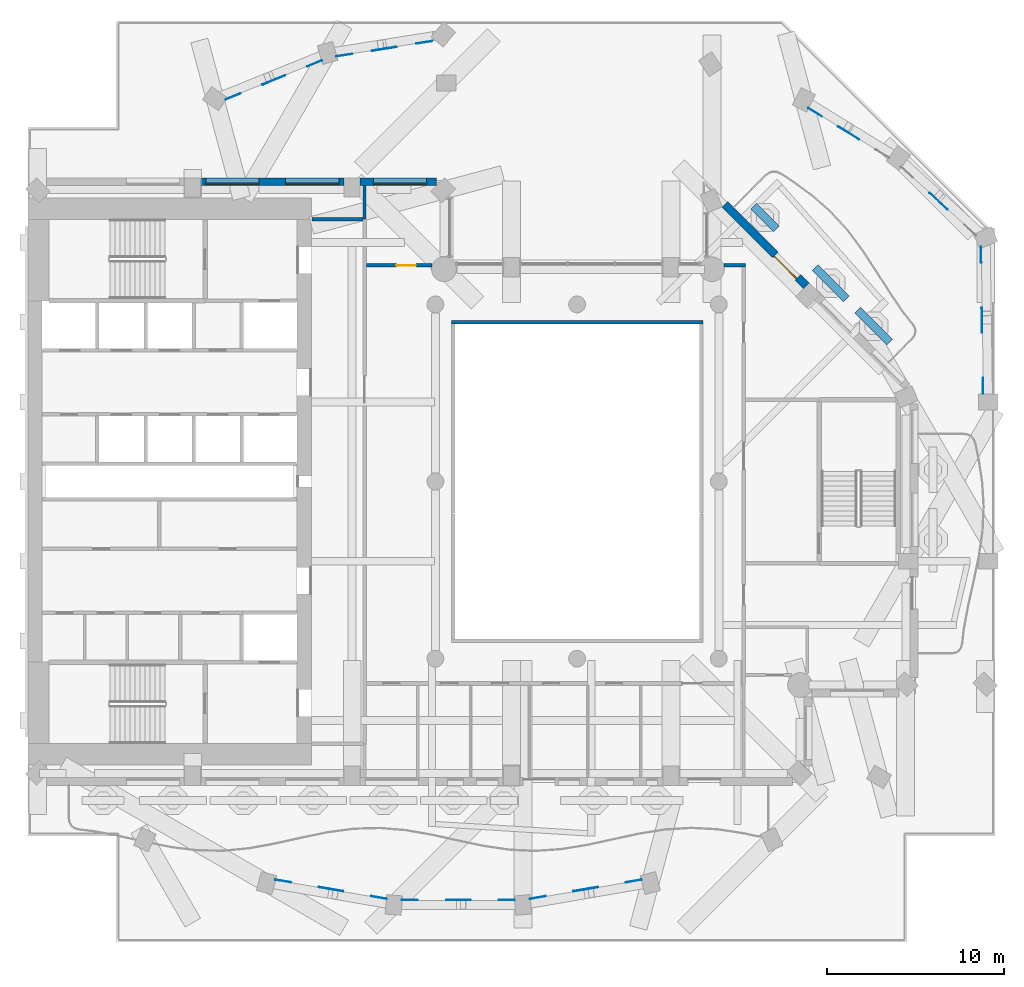
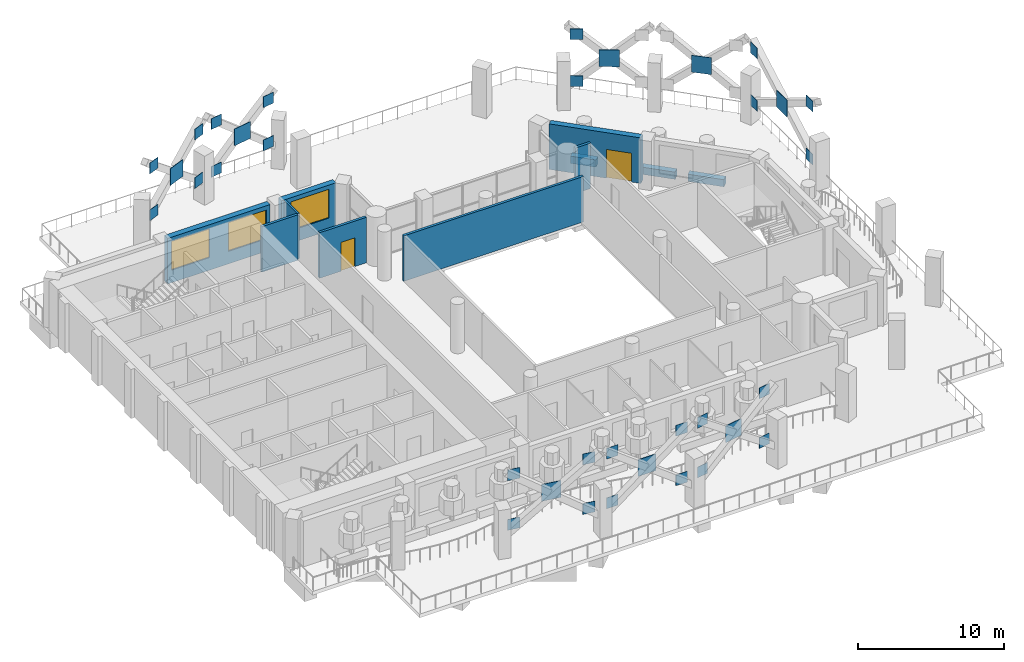
# One storey, part 8 of 18: 34 discrete accessories, 11 walls, 3 windows, 2 doors, 5 openings.
"""IFC4 building model written with IfcOpenShell, lengths in metres."""

from ifc_helpers import new_model, si_unit, direction, frame, frame_2d, origin, origin_2d, place, context, subcontext, project, spatial, rectangle, extrude, material, layer, layer_set, material_profile, profile_set, type_object, element, fill, save


model = new_model("IFC4")

# Units and contexts
model_context = context("Model", 3, precision=1e-05, world=origin(), true_north=direction((0.0, 1.0)))
body_context = subcontext(model_context, "Body", "Model", "MODEL_VIEW")
ifc_project = project(units=[si_unit("LENGTHUNIT", "METRE"), si_unit("AREAUNIT", "SQUARE_METRE"), si_unit("VOLUMEUNIT", "CUBIC_METRE"), si_unit("PLANEANGLEUNIT", "RADIAN"), si_unit("MASSUNIT", "GRAM", prefix="KILO")], contexts=[model_context])

# Site, building, storey
site_placement = place(None, origin())
site = spatial("IfcSite", under=ifc_project, at=site_placement, CompositionType="ELEMENT")
building_placement = place(site_placement, origin())
building = spatial("IfcBuilding", under=site, at=building_placement, Name="Cypress Arch Tower", CompositionType="ELEMENT")
storey_placement = place(building_placement, frame((0.0, 0.0, 160.5)))
storey = spatial("IfcBuildingStorey", under=building, at=storey_placement, Name="L34", CompositionType="ELEMENT", Elevation=160.5)

# Walls
ifc_material_1 = material(Name="Concrete C40/50, waterproofed", Category="concrete")
ifc_layer_1 = layer(ifc_material_1, 0.449951171875)
ifc_layer_set_1 = layer_set([ifc_layer_1], Name="Balcony planter wall PW450")
wall_type_1 = type_object("IfcWallType", Name="Balcony planter wall PW450", PredefinedType="SOLIDWALL", material=ifc_layer_set_1)
wall_1_placement = place(storey_placement, frame((18.650390625, 7.86376953125, 0.0), z_axis=(0.0, 0.0, 1.0), x_axis=(-0.707059037574, 0.707154521576, 0.0)))
element("IfcWall", 1, at=wall_1_placement, inside=storey, type_object=wall_type_1, Name="Balcony planter wall L34-B05.1", PredefinedType="SOLIDWALL", context=body_context, shape_type="SweptSolid", body=[
    extrude(rectangle(XDim=2.556884765625, YDim=0.449951171875, at=frame_2d((1.2783203125, 0.0))), origin(), (0.0, 0.0, 1.0), 0.60009765625),
])
wall_2_placement = place(storey_placement, frame((16.2060546875, 10.30810546875, 0.0), z_axis=(0.0, 0.0, 1.0), x_axis=(-0.707057827829, 0.707155731156, 0.0)))
element("IfcWall", 2, at=wall_2_placement, inside=storey, type_object=wall_type_1, Name="Balcony planter wall L34-B05.2", PredefinedType="SOLIDWALL", context=body_context, shape_type="SweptSolid", body=[
    extrude(rectangle(XDim=2.49365234375, YDim=0.449951171875, at=frame_2d((1.246826171875, 0.0))), origin(), (0.0, 0.0, 1.0), 0.60009765625),
])
wall_3_placement = place(storey_placement, frame((12.250732421875, 14.263427734375, 0.0), z_axis=(0.0, 0.0, 1.0), x_axis=(-0.707039709166, 0.707173846846, 0.0)))
element("IfcWall", 3, at=wall_3_placement, inside=storey, type_object=wall_type_1, Name="Balcony planter wall L34-B05.3", PredefinedType="SOLIDWALL", context=body_context, shape_type="SweptSolid", body=[
    extrude(rectangle(XDim=1.820068359375, YDim=0.449951171875, at=frame_2d((0.91015625, 0.0))), origin(), (0.0, 0.0, 1.0), 0.60009765625),
])

# Wall, opening, door
ifc_material_2 = material(Name="Brick (red buff blend)", Category="masonry")
ifc_layer_2 = layer(ifc_material_2, 0.449951171875)
ifc_layer_set_2 = layer_set([ifc_layer_2], Name="Brick pier and spandrel wall BW450")
wall_type_2 = type_object("IfcWallType", Name="Brick pier and spandrel wall BW450", PredefinedType="SOLIDWALL", material=ifc_layer_set_2)
wall_4_placement = place(storey_placement, frame((13.94091796875, 11.052978515625, 0.0), z_axis=(0.0, 0.0, 1.0), x_axis=(-0.707106781187, 0.707106781187, 0.0)))
wall_4 = element("IfcWall", 4, at=wall_4_placement, inside=storey, type_object=wall_type_2, Name="Brick wall L34 B05.1", PredefinedType="SOLIDWALL", context=body_context, shape_type="SweptSolid", body=[
    extrude(rectangle(XDim=6.505126953125, YDim=0.449951171875, at=frame_2d((3.25244140625, 0.0))), origin(), (0.0, 0.0, 1.0), 3.800048828125),
])
opening_1_placement = place(wall_4_placement, frame((0.665283203125, 0.0, 0.0)))
opening_1 = element("IfcOpeningElement", 5, at=opening_1_placement, cuts=wall_4, Name="Opening D-L34-B05.1.1", PredefinedType="OPENING", context=body_context, shape_type="SweptSolid", body=[
    extrude(rectangle(XDim=1.800048828125, YDim=2.39990234375, at=frame_2d((0.89990234375, 1.199951171875))), frame((0.0, 0.23486328125, 0.0), z_axis=(0.0, -1.0, 0.0), x_axis=(1.0, 0.0, 0.0)), (0.0, 0.0, 1.0), 0.469970703125),
])
ifc_material_3 = material(Name="Anodised aluminium, bronze finish, laminated low-emissivity double glazing, large-missile impact rated", Category="aluminium")
door_type_1 = type_object("IfcDoorType", Name="Balcony sliding door 1800x2400", OperationType="SLIDING_TO_LEFT", PredefinedType="DOOR", material=ifc_material_3)
door_1_placement = place(opening_1_placement, origin())
door_1 = element("IfcDoor", 6, at=door_1_placement, inside=storey, type_object=door_type_1, Name="Balcony door L34 B05.1.1", OperationType="SLIDING_TO_LEFT", OverallHeight=2.39990234375, OverallWidth=1.800048828125, PredefinedType="DOOR", context=body_context, shape_type="SweptSolid", body=[
    extrude(rectangle(XDim=1.800048828125, YDim=2.39990234375, at=frame_2d((0.89990234375, 1.199951171875))), frame((0.0, 0.1298828125, 0.0), z_axis=(0.0, -1.0, 0.0), x_axis=(1.0, 0.0, 0.0)), (0.0, 0.0, 1.0), 0.050048828125),
])
fill(opening_1, door_1)

# Wall, opening, window
wall_5_placement = place(storey_placement, frame((-6.936279296875, 16.925048828125, 0.0), z_axis=(0.0, 0.0, 1.0), x_axis=(-1.0, 0.0, 0.0)))
wall_5 = element("IfcWall", 7, at=wall_5_placement, inside=storey, type_object=wall_type_2, Name="Brick wall L34 B09.0", PredefinedType="SOLIDWALL", context=body_context, shape_type="SweptSolid", body=[
    extrude(rectangle(XDim=4.313720703125, YDim=0.449951171875, at=frame_2d((2.15673828125, 0.0))), origin(), (0.0, 0.0, 1.0), 3.800048828125),
])
opening_2_placement = place(wall_5_placement, frame((0.563720703125, 0.0, 1.050048828125)))
opening_2 = element("IfcOpeningElement", 8, at=opening_2_placement, cuts=wall_5, Name="Opening W300O", PredefinedType="OPENING", context=body_context, shape_type="SweptSolid", body=[
    extrude(rectangle(XDim=3.0, YDim=2.39990234375, at=frame_2d((1.5, 1.199951171875))), frame((0.0, 0.23486328125, 0.0), z_axis=(0.0, -1.0, 0.0), x_axis=(1.0, 0.0, 0.0)), (0.0, 0.0, 1.0), 0.469970703125),
])
ifc_material_4 = material(Name="Anodised aluminium, bronze finish, clear low-emissivity double glazing", Category="aluminium")
window_type = type_object("IfcWindowType", Name="Window Office 3000x2400", PartitioningType="SINGLE_PANEL", PredefinedType="WINDOW", material=ifc_material_4)
window_1_placement = place(opening_2_placement, origin())
window_1 = element("IfcWindow", 9, at=window_1_placement, inside=storey, type_object=window_type, Name="Window L34 B09.0.1", OverallHeight=2.39990234375, OverallWidth=3.0, PartitioningType="SINGLE_PANEL", PredefinedType="WINDOW", context=body_context, shape_type="SweptSolid", body=[
    extrude(rectangle(XDim=3.0, YDim=2.39990234375, at=frame_2d((1.5, 1.199951171875))), frame((0.0, 0.135009765625, 0.0), z_axis=(0.0, -1.0, 0.0), x_axis=(1.0, 0.0, 0.0)), (0.0, 0.0, 1.0), 0.06005859375),
])
fill(opening_2, window_1)

# Wall, openings, windows
wall_6_placement = place(storey_placement, frame((-12.14990234375, 16.925048828125, 0.0), z_axis=(0.0, 0.0, 1.0), x_axis=(-1.0, 0.0, 0.0)))
wall_6 = element("IfcWall", 10, at=wall_6_placement, inside=storey, type_object=wall_type_2, Name="Brick wall L34 B09.1", PredefinedType="SOLIDWALL", context=body_context, shape_type="SweptSolid", body=[
    extrude(rectangle(XDim=8.10009765625, YDim=0.449951171875, at=frame_2d((4.050048828125, 0.0))), origin(), (0.0, 0.0, 1.0), 3.800048828125),
])
opening_3_placement = place(wall_6_placement, frame((0.300048828125, 0.0, 1.050048828125)))
opening_3 = element("IfcOpeningElement", 11, at=opening_3_placement, cuts=wall_6, Name="Opening W300O", PredefinedType="OPENING", context=body_context, shape_type="SweptSolid", body=[
    extrude(rectangle(XDim=3.0, YDim=2.39990234375, at=frame_2d((1.5, 1.199951171875))), frame((0.0, 0.23486328125, 0.0), z_axis=(0.0, -1.0, 0.0), x_axis=(1.0, 0.0, 0.0)), (0.0, 0.0, 1.0), 0.469970703125),
])
opening_4_placement = place(wall_6_placement, frame((4.800048828125, 0.0, 1.050048828125)))
opening_4 = element("IfcOpeningElement", 12, at=opening_4_placement, cuts=wall_6, Name="Opening W300O", PredefinedType="OPENING", context=body_context, shape_type="SweptSolid", body=[
    extrude(rectangle(XDim=3.0, YDim=2.39990234375, at=frame_2d((1.5, 1.199951171875))), frame((0.0, 0.23486328125, 0.0), z_axis=(0.0, -1.0, 0.0), x_axis=(1.0, 0.0, 0.0)), (0.0, 0.0, 1.0), 0.469970703125),
])
window_2_placement = place(opening_3_placement, origin())
window_2 = element("IfcWindow", 13, at=window_2_placement, inside=storey, type_object=window_type, Name="Window L34 B09.1.1", OverallHeight=2.39990234375, OverallWidth=3.0, PartitioningType="SINGLE_PANEL", PredefinedType="WINDOW", context=body_context, shape_type="SweptSolid", body=[
    extrude(rectangle(XDim=3.0, YDim=2.39990234375, at=frame_2d((1.5, 1.199951171875))), frame((0.0, 0.135009765625, 0.0), z_axis=(0.0, -1.0, 0.0), x_axis=(1.0, 0.0, 0.0)), (0.0, 0.0, 1.0), 0.06005859375),
])
fill(opening_3, window_2)
window_3_placement = place(opening_4_placement, origin())
window_3 = element("IfcWindow", 14, at=window_3_placement, inside=storey, type_object=window_type, Name="Window L34 B09.1.2", OverallHeight=2.39990234375, OverallWidth=3.0, PartitioningType="SINGLE_PANEL", PredefinedType="WINDOW", context=body_context, shape_type="SweptSolid", body=[
    extrude(rectangle(XDim=3.0, YDim=2.39990234375, at=frame_2d((1.5, 1.199951171875))), frame((0.0, 0.135009765625, 0.0), z_axis=(0.0, -1.0, 0.0), x_axis=(1.0, 0.0, 0.0)), (0.0, 0.0, 1.0), 0.06005859375),
])
fill(opening_4, window_3)

# Wall
ifc_material_5 = material(Name="Concrete blockwork, plastered, rated", Category="masonry")
ifc_layer_3 = layer(ifc_material_5, 0.199951171875)
ifc_layer_set_3 = layer_set([ifc_layer_3], Name="Corridor wall FW200")
wall_type_3 = type_object("IfcWallType", Name="Corridor wall FW200", PredefinedType="PARTITIONING", material=ifc_layer_set_3)
wall_7_placement = place(storey_placement, frame((-13.969970703125, 14.800048828125, 0.0), z_axis=(0.0, 0.0, 1.0), x_axis=(1.0, 0.0, 0.0)))
element("IfcWall", 15, at=wall_7_placement, inside=storey, type_object=wall_type_3, Name="Corridor wall", PredefinedType="PARTITIONING", context=body_context, shape_type="SweptSolid", body=[
    extrude(rectangle(XDim=2.869873046875, YDim=0.199951171875, at=frame_2d((1.43505859375, 0.0))), origin(), (0.0, 0.0, 1.0), 3.800048828125),
])

# Wall, opening, door
wall_8_placement = place(storey_placement, frame((-10.89990234375, 12.199951171875, 0.0), z_axis=(0.0, 0.0, 1.0), x_axis=(1.0, 0.0, 0.0)))
wall_8 = element("IfcWall", 16, at=wall_8_placement, inside=storey, type_object=wall_type_3, Name="Corridor wall", PredefinedType="PARTITIONING", context=body_context, shape_type="SweptSolid", body=[
    extrude(rectangle(XDim=3.7041015625, YDim=0.199951171875, at=frame_2d((1.85205078125, 0.0))), origin(), (0.0, 0.0, 1.0), 3.800048828125),
])
opening_5_placement = place(wall_8_placement, frame((1.699951171875, 0.0, 0.0)))
opening_5 = element("IfcOpeningElement", 17, at=opening_5_placement, cuts=wall_8, Name="Opening D01", PredefinedType="OPENING", context=body_context, shape_type="SweptSolid", body=[
    extrude(rectangle(XDim=1.10009765625, YDim=2.39990234375, at=frame_2d((0.550048828125, 1.199951171875))), frame((0.0, 0.10986328125, 0.0), z_axis=(0.0, -1.0, 0.0), x_axis=(1.0, 0.0, 0.0)), (0.0, 0.0, 1.0), 0.219970703125),
])
ifc_material_6 = material(Name="Timber flush door, fire resisting, self-closing", Category="wood")
door_type_2 = type_object("IfcDoorType", Name="Unit entrance door D01 1100x2400", OperationType="SINGLE_SWING_LEFT", PredefinedType="DOOR", material=ifc_material_6)
door_2_placement = place(opening_5_placement, origin())
door_2 = element("IfcDoor", 18, at=door_2_placement, inside=storey, type_object=door_type_2, Name="Unit entrance door", OperationType="SINGLE_SWING_RIGHT", OverallHeight=2.39990234375, OverallWidth=1.10009765625, PredefinedType="DOOR", context=body_context, shape_type="SweptSolid", body=[
    extrude(rectangle(XDim=1.10009765625, YDim=2.39990234375, at=frame_2d((0.550048828125, 1.199951171875))), frame((0.0, 0.02490234375, 0.0), z_axis=(0.0, -1.0, 0.0), x_axis=(1.0, 0.0, 0.0)), (0.0, 0.0, 1.0), 0.050048828125),
])
fill(opening_5, door_2)

# Walls
wall_9_placement = place(storey_placement, frame((-6.10009765625, 9.0, 0.0), z_axis=(0.0, 0.0, 1.0), x_axis=(1.0, 0.0, 0.0)))
element("IfcWall", 19, at=wall_9_placement, inside=storey, type_object=wall_type_3, Name="Corridor wall", PredefinedType="PARTITIONING", context=body_context, shape_type="SweptSolid", body=[
    extrude(rectangle(XDim=14.2001953125, YDim=0.199951171875, at=frame_2d((7.10009765625, 0.0))), origin(), (0.0, 0.0, 1.0), 3.800048828125),
])
wall_10_placement = place(storey_placement, frame((9.295654296875, 12.199951171875, 0.0), z_axis=(0.0, 0.0, 1.0), x_axis=(1.0, 0.0, 0.0)))
element("IfcWall", 20, at=wall_10_placement, inside=storey, type_object=wall_type_3, Name="Corridor wall", PredefinedType="PARTITIONING", context=body_context, shape_type="SweptSolid", body=[
    extrude(rectangle(XDim=1.204345703125, YDim=0.199951171875, at=frame_2d((0.60205078125, 0.0))), origin(), (0.0, 0.0, 1.0), 3.800048828125),
])
ifc_material_7 = material(Name="Blockwork, plastered both sides", Category="masonry")
ifc_layer_4 = layer(ifc_material_7, 0.14990234375)
ifc_layer_set_4 = layer_set([ifc_layer_4], Name="Partition PW150")
wall_type_4 = type_object("IfcWallType", Name="Partition PW150", PredefinedType="PARTITIONING", material=ifc_layer_set_4)
wall_11_placement = place(storey_placement, frame((-11.0, 14.820068359375, 0.0), z_axis=(0.0, 0.0, 1.0), x_axis=(0.0, 1.0, 0.0)))
element("IfcWall", 21, at=wall_11_placement, inside=storey, type_object=wall_type_4, Name="Partition", PredefinedType="PARTITIONING", context=body_context, shape_type="SweptSolid", body=[
    extrude(rectangle(XDim=1.8798828125, YDim=0.14990234375, at=frame_2d((0.93994140625, 0.0))), origin(), (0.0, 0.0, 1.0), 3.800048828125),
])

# Discrete accessories
ifc_material_8 = material(Name="Steel ASTM A992", Category="steel")
ifc_material_profile_1 = material_profile(ifc_material_8, rectangle(XDim=0.89990234375, YDim=0.89990234375, at=origin_2d()), Name="PL 30 900x900")
ifc_profile_set_1 = profile_set([ifc_material_profile_1], Name="Steel ASTM A992")
discrete_accessory_type_1 = type_object("IfcDiscreteAccessoryType", Name="Gusset plate 900x900x30 Steel ASTM A992", PredefinedType="ANCHORPLATE", material=ifc_profile_set_1)
discrete_accessory_1_placement = place(storey_placement, frame((-7.630859375, 24.806396484375, 2.445068359375), z_axis=(0.15512400912, -0.987895005451, 0.0), x_axis=(0.987895005451, 0.15512400912, 0.0)))
element("IfcDiscreteAccessory", 22, at=discrete_accessory_1_placement, inside=storey, type_object=discrete_accessory_type_1, Name="Gusset plate L34 CQ02-CQ03u0", PredefinedType="ANCHORPLATE", context=body_context, shape_type="SweptSolid", body=[
    extrude(rectangle(XDim=0.89990234375, YDim=0.89990234375, at=origin_2d()), origin(), (0.0, 0.0, 1.0), 0.02978515625),
])
discrete_accessory_2_placement = place(storey_placement, frame((-12.149658203125, 24.0849609375, 6.24951171875), z_axis=(0.153882731479, -0.98808911792, 0.0), x_axis=(0.98808911792, 0.153882731479, 0.0)))
element("IfcDiscreteAccessory", 23, at=discrete_accessory_2_placement, inside=storey, type_object=discrete_accessory_type_1, Name="Gusset plate L34 CQ02-CQ03u1", PredefinedType="ANCHORPLATE", context=body_context, shape_type="SweptSolid", body=[
    extrude(rectangle(XDim=0.89990234375, YDim=0.89990234375, at=origin_2d()), origin(), (0.0, 0.0, 1.0), 0.030029296875),
])
discrete_accessory_3_placement = place(storey_placement, frame((-7.630859375, 24.806396484375, 6.054931640625), z_axis=(0.15512400912, -0.987895005451, 0.0), x_axis=(0.987895005451, 0.15512400912, 0.0)))
element("IfcDiscreteAccessory", 24, at=discrete_accessory_3_placement, inside=storey, type_object=discrete_accessory_type_1, Name="Gusset plate L34 CQ02-CQ03d0", PredefinedType="ANCHORPLATE", context=body_context, shape_type="SweptSolid", body=[
    extrude(rectangle(XDim=0.89990234375, YDim=0.89990234375, at=origin_2d()), origin(), (0.0, 0.0, 1.0), 0.02978515625),
])
for number, where, z_axis, x_axis, name in (
    (25, (-12.149658203125, 24.0849609375, 2.25048828125), (0.153882731479, -0.98808911792, 0.0), (0.98808911792, 0.153882731479, 0.0), "Gusset plate L34 CQ02-CQ03d1"),
    (26, (-13.822998046875, 23.618896484375, 2.2236328125), (0.381157654408, -0.924510055373, 0.0), (0.924510055373, 0.381157654408, 0.0), "Gusset plate L34 CQ03-CQ04u0"),
    (27, (-18.429443359375, 21.7529296875, 6.20703125), (0.374194034192, -0.927350432563, 0.0), (0.927350432563, 0.374194034192, 0.0), "Gusset plate L34 CQ03-CQ04u1"),
    (28, (-13.822998046875, 23.618896484375, 6.2763671875), (0.381157654408, -0.924510055373, 0.0), (0.924510055373, 0.381157654408, 0.0), "Gusset plate L34 CQ03-CQ04d0"),
    (29, (-18.429443359375, 21.7529296875, 2.29296875), (0.374194034192, -0.927350432563, 0.0), (0.927350432563, 0.374194034192, 0.0), "Gusset plate L34 CQ03-CQ04d1"),
    (30, (-15.59716796875, -22.56884765625, 2.18017578125), (0.163076596924, 0.986613411391, 0.0), (-0.986613411391, 0.163076596924, 0.0), "Gusset plate L34 CQ06-CQ07u0"),
    (31, (-10.188232421875, -23.500244140625, 6.31982421875), (0.170997525788, 0.985271458114, 0.0), (-0.985271458114, 0.170997525788, 0.0), "Gusset plate L34 CQ06-CQ07u1"),
    (32, (-15.59716796875, -22.56884765625, 6.31982421875), (0.163076596924, 0.986613411391, 0.0), (-0.986613411391, 0.163076596924, 0.0), "Gusset plate L34 CQ06-CQ07d0"),
    (33, (-10.188232421875, -23.500244140625, 2.18017578125), (0.170997525788, 0.985271458114, 0.0), (-0.985271458114, 0.170997525788, 0.0), "Gusset plate L34 CQ06-CQ07d1"),
    (34, (-8.441162109375, -23.649658203125, 2.1806640625), (0.0, 1.0, 0.0), (-1.0, 0.0, 0.0), "Gusset plate L34 CQ07-CQ08u0"),
    (35, (-2.958984375, -23.649658203125, 6.3193359375), (0.0, 1.0, 0.0), (-1.0, 0.0, 0.0), "Gusset plate L34 CQ07-CQ08u1"),
    (36, (-8.441162109375, -23.649658203125, 6.3193359375), (0.0, 1.0, 0.0), (-1.0, 0.0, 0.0), "Gusset plate L34 CQ07-CQ08d0"),
    (37, (-2.958984375, -23.649658203125, 2.1806640625), (0.0, 1.0, 0.0), (-1.0, 0.0, 0.0), "Gusset plate L34 CQ07-CQ08d1"),
    (38, (-1.2119140625, -23.500244140625, 2.18017578125), (-0.170997525788, 0.985271458114, 0.0), (-0.985271458114, -0.170997525788, 0.0), "Gusset plate L34 CQ08-CQ09u0"),
    (39, (4.197265625, -22.56884765625, 6.31982421875), (-0.170997525788, 0.985271458114, 0.0), (-0.985271458114, -0.170997525788, 0.0), "Gusset plate L34 CQ08-CQ09u1"),
    (40, (-1.2119140625, -23.500244140625, 6.31982421875), (-0.170997525788, 0.985271458114, 0.0), (-0.985271458114, -0.170997525788, 0.0), "Gusset plate L34 CQ08-CQ09d0"),
    (41, (4.197265625, -22.56884765625, 2.18017578125), (-0.170997525788, 0.985271458114, 0.0), (-0.985271458114, -0.170997525788, 0.0), "Gusset plate L34 CQ08-CQ09d1"),
    (42, (23.932861328125, 5.396240234375, 2.03466796875), (-0.999867829764, -0.016258013492, 0.0), (0.016258013492, -0.999867829764, 0.0), "Gusset plate L34 CQ14-CQ15u0"),
    (43, (23.82373046875, 12.8154296875, 6.441650390625), (-0.999867829764, -0.016258013492, 0.0), (0.016258013492, -0.999867829764, 0.0), "Gusset plate L34 CQ14-CQ15u1"),
    (44, (23.932861328125, 5.396240234375, 6.46533203125), (-0.999867829764, -0.016258013492, 0.0), (0.016258013492, -0.999867829764, 0.0), "Gusset plate L34 CQ14-CQ15d0"),
    (45, (23.82373046875, 12.8154296875, 2.058349609375), (-0.999867829764, -0.016258013492, 0.0), (0.016258013492, -0.999867829764, 0.0), "Gusset plate L34 CQ14-CQ15d1"),
):
    element("IfcDiscreteAccessory", number, at=place(storey_placement, frame(where, z_axis=z_axis, x_axis=x_axis)), inside=storey, type_object=discrete_accessory_type_1, Name=name, PredefinedType="ANCHORPLATE", context=body_context, shape_type="SweptSolid", body=[
        extrude(rectangle(XDim=0.89990234375, YDim=0.89990234375, at=origin_2d()), origin(), (0.0, 0.0, 1.0), 0.030029296875),
    ])
for number, where, z_axis, x_axis, name in (
    (46, (14.43798828125, 20.8603515625, 6.208251953125), (-0.524097425664, -0.851658316705, 0.0), (0.851658316705, -0.524097425664, 0.0), "Gusset plate L34 CQ16-CQ17u1"),
    (47, (14.43798828125, 20.8603515625, 2.291748046875), (-0.524097425664, -0.851658316705, 0.0), (0.851658316705, -0.524097425664, 0.0), "Gusset plate L34 CQ16-CQ17d1"),
):
    element("IfcDiscreteAccessory", number, at=place(storey_placement, frame(where, z_axis=z_axis, x_axis=x_axis)), inside=storey, type_object=discrete_accessory_type_1, Name=name, PredefinedType="ANCHORPLATE", context=body_context, shape_type="SweptSolid", body=[
        extrude(rectangle(XDim=0.89990234375, YDim=0.89990234375, at=origin_2d()), origin(), (0.0, 0.0, 1.0), 0.02978515625),
    ])
ifc_material_9 = material(Name="Steel ASTM A992", Category="steel")
ifc_material_profile_2 = material_profile(ifc_material_9, rectangle(XDim=1.39990234375, YDim=1.39990234375, at=origin_2d()), Name="PL 40 1400x1400")
ifc_profile_set_2 = profile_set([ifc_material_profile_2], Name="Steel ASTM A992")
discrete_accessory_type_2 = type_object("IfcDiscreteAccessoryType", Name="Node plate 1400x1400x40 Steel ASTM A992", PredefinedType="ANCHORPLATE", material=ifc_profile_set_2)
discrete_accessory_4_placement = place(storey_placement, frame((-9.890380859375, 24.445556640625, 4.25), z_axis=(0.159425218663, -0.987210007878, 0.0), x_axis=(0.987210007878, 0.159425218663, 0.0)))
element("IfcDiscreteAccessory", 48, at=discrete_accessory_4_placement, inside=storey, type_object=discrete_accessory_type_2, Name="Node plate L34 CQ02-CQ03", PredefinedType="ANCHORPLATE", context=body_context, shape_type="SweptSolid", body=[
    extrude(rectangle(XDim=1.39990234375, YDim=1.39990234375, at=origin_2d()), origin(), (0.0, 0.0, 1.0), 0.039794921875),
])
for number, where, z_axis, x_axis, name in (
    (49, (-16.126220703125, 22.68603515625, 4.25), (0.377683854905, -0.925934612024, 0.0), (0.925934612024, 0.377683854905, 0.0), "Node plate L34 CQ03-CQ04"),
    (50, (-12.892822265625, -23.03466796875, 4.25), (0.170314285219, 0.985389793052, 0.0), (-0.985389793052, 0.170314285219, 0.0), "Node plate L34 CQ06-CQ07"),
    (51, (-5.699951171875, -23.649658203125, 4.25), (0.0, 1.0, 0.0), (-1.0, 0.0, 0.0), "Node plate L34 CQ07-CQ08"),
    (52, (1.49267578125, -23.03466796875, 4.25), (-0.170314285219, 0.985389793052, 0.0), (-0.985389793052, -0.170314285219, 0.0), "Node plate L34 CQ08-CQ09"),
):
    element("IfcDiscreteAccessory", number, at=place(storey_placement, frame(where, z_axis=z_axis, x_axis=x_axis)), inside=storey, type_object=discrete_accessory_type_2, Name=name, PredefinedType="ANCHORPLATE", context=body_context, shape_type="SweptSolid", body=[
        extrude(rectangle(XDim=1.39990234375, YDim=1.39990234375, at=origin_2d()), origin(), (0.0, 0.0, 1.0), 0.0400390625),
    ])
discrete_accessory_5_placement = place(storey_placement, frame((23.878173828125, 9.105712890625, 4.25), z_axis=(-0.999924732801, -0.012269015126, 0.0), x_axis=(0.012269015126, -0.999924732801, 0.0)))
element("IfcDiscreteAccessory", 53, at=discrete_accessory_5_placement, inside=storey, type_object=discrete_accessory_type_2, Name="Node plate L34 CQ14-CQ15", PredefinedType="ANCHORPLATE", context=body_context, shape_type="SweptSolid", body=[
    extrude(rectangle(XDim=1.39990234375, YDim=1.39990234375, at=origin_2d()), origin(), (0.0, 0.0, 1.0), 0.039794921875),
])
for number, where, z_axis, x_axis, name in (
    (54, (21.415771484375, 15.8388671875, 4.25), (-0.676000359041, -0.736901292288, 0.0), (0.736901292288, -0.676000359041, 0.0), "Node plate L34 CQ15-CQ16"),
    (55, (16.337646484375, 19.692138671875, 4.25), (-0.523418105875, -0.852075986308, 0.0), (0.852075986308, -0.523418105875, 0.0), "Node plate L34 CQ16-CQ17"),
):
    element("IfcDiscreteAccessory", number, at=place(storey_placement, frame(where, z_axis=z_axis, x_axis=x_axis)), inside=storey, type_object=discrete_accessory_type_2, Name=name, PredefinedType="ANCHORPLATE", context=body_context, shape_type="SweptSolid", body=[
        extrude(rectangle(XDim=1.39990234375, YDim=1.39990234375, at=origin_2d()), origin(), (0.0, 0.0, 1.0), 0.0400390625),
    ])

save(model, "model.ifc")
